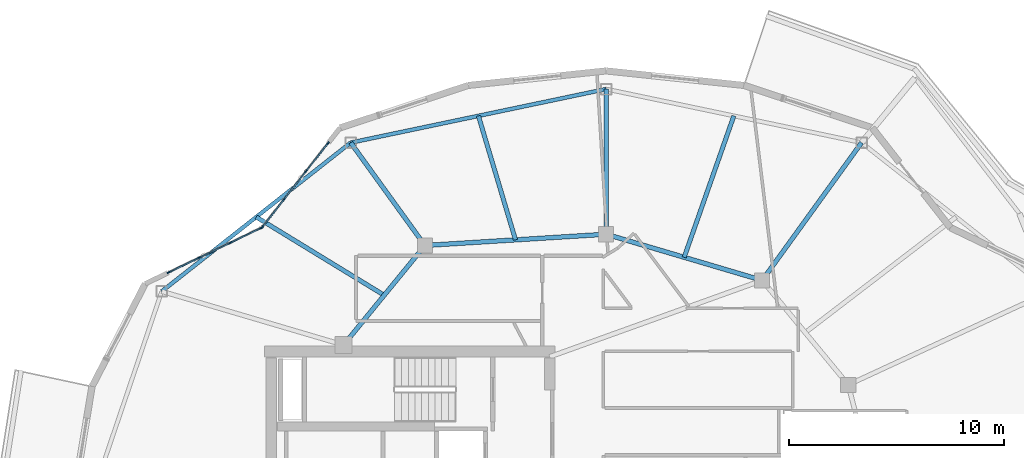
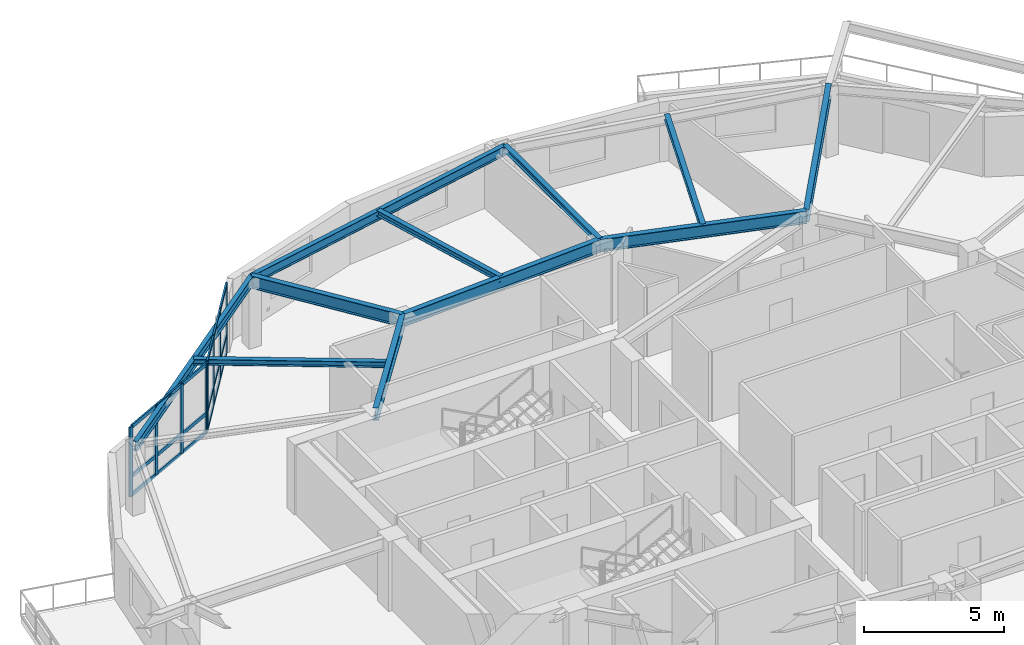
# One storey, part 5 of 19: 26 members, 11 beams, 2 elements without a shape of their own.
"""IFC4 building model written with IfcOpenShell, lengths in metres."""

from ifc_helpers import new_model, si_unit, direction, frame, origin, origin_2d, place, context, subcontext, project, spatial, rectangle, i_section, extrude, material, layer, layer_set, material_profile, profile_set, type_object, element, aggregate, save


model = new_model("IFC4")

# Units and contexts
model_context = context("Model", 3, precision=1e-05, world=origin(), true_north=direction((0.0, 1.0)))
body_context = subcontext(model_context, "Body", "Model", "MODEL_VIEW")
ifc_project = project(units=[si_unit("LENGTHUNIT", "METRE"), si_unit("AREAUNIT", "SQUARE_METRE"), si_unit("VOLUMEUNIT", "CUBIC_METRE"), si_unit("PLANEANGLEUNIT", "RADIAN"), si_unit("MASSUNIT", "GRAM", prefix="KILO")], contexts=[model_context])

# Site, building, storey
site_placement = place(None, origin())
site = spatial("IfcSite", under=ifc_project, at=site_placement, CompositionType="ELEMENT")
building_placement = place(site_placement, origin())
building = spatial("IfcBuilding", under=site, at=building_placement, Name="Kolvaren Gate Tower and Convention Centre", CompositionType="ELEMENT")
storey_placement = place(building_placement, frame((0.0, 0.0, 212.89990234375)))
storey = spatial("IfcBuildingStorey", under=building, at=storey_placement, Name="L56", CompositionType="ELEMENT", Elevation=212.89990234375)

# Curtain wall, members
ifc_material_1 = material(Name="Anodized Architectural Aluminium Alloy 6063-T6", Category="aluminium")
ifc_layer = layer(ifc_material_1, 0.159912109375)
ifc_layer_set = layer_set([ifc_layer], Name="Anodized Architectural Aluminium Alloy 6063-T6")
curtain_wall_type = type_object("IfcCurtainWallType", Name="CW-RES-UNIT", PredefinedType="NOTDEFINED", material=ifc_layer_set)
curtain_wall_1_placement = place(storey_placement, origin())
curtain_wall_1 = element("IfcCurtainWall", 1, at=curtain_wall_1_placement, inside=storey, type_object=curtain_wall_type, Name="Tower L56 Unitised Curtain Wall CW-RES-UNIT Bay 08", PredefinedType="NOTDEFINED")
ifc_material_profile_1 = material_profile(ifc_material_1, rectangle(XDim=0.06494140625, YDim=0.159912109375, at=origin_2d()), Name="CW-MEM-MUL-160")
ifc_profile_set_1 = profile_set([ifc_material_profile_1], Name="Anodized Architectural Aluminium Alloy 6063-T6")
member_type_1 = type_object("IfcMemberType", Name="CW-MEM-MUL-160", PredefinedType="MULLION", material=ifc_profile_set_1)
member_1_placement = place(storey_placement, frame((14.137451171875, 39.532958984375, 0.0), z_axis=(0.0, 0.0, 1.0), x_axis=(-0.787409932974, 0.616429718179, 0.0)))
member_1 = element("IfcMember", 2, at=member_1_placement, type_object=member_type_1, Name="CW-04 mullion 1", PredefinedType="MULLION", context=body_context, shape_type="SweptSolid", body=[
    extrude(rectangle(XDim=0.06494140625, YDim=0.159912109375, at=origin_2d()), origin(), (0.0, 0.0, 1.0), 3.030029296875),
])
member_2_placement = place(storey_placement, frame((15.1484375, 40.82421875, 0.0), z_axis=(0.0, 0.0, 1.0), x_axis=(-0.787409932974, 0.616429718179, 0.0)))
member_2 = element("IfcMember", 3, at=member_2_placement, type_object=member_type_1, Name="CW-04 mullion 2", PredefinedType="MULLION", context=body_context, shape_type="SweptSolid", body=[
    extrude(rectangle(XDim=0.06494140625, YDim=0.159912109375, at=origin_2d()), origin(), (0.0, 0.0, 1.0), 3.030029296875),
])
member_3_placement = place(storey_placement, frame((16.17919921875, 42.140869140625, 0.0), z_axis=(0.0, 0.0, 1.0), x_axis=(-0.787409932974, 0.616429718179, 0.0)))
member_3 = element("IfcMember", 4, at=member_3_placement, type_object=member_type_1, Name="CW-04 mullion 3", PredefinedType="MULLION", context=body_context, shape_type="SweptSolid", body=[
    extrude(rectangle(XDim=0.06494140625, YDim=0.159912109375, at=origin_2d()), origin(), (0.0, 0.0, 1.0), 3.030029296875),
])
member_4_placement = place(storey_placement, frame((17.190185546875, 43.43212890625, 0.0), z_axis=(0.0, 0.0, 1.0), x_axis=(-0.787409932974, 0.616429718179, 0.0)))
member_4 = element("IfcMember", 5, at=member_4_placement, type_object=member_type_1, Name="CW-04 mullion 4", PredefinedType="MULLION", context=body_context, shape_type="SweptSolid", body=[
    extrude(rectangle(XDim=0.06494140625, YDim=0.159912109375, at=origin_2d()), origin(), (0.0, 0.0, 1.0), 3.030029296875),
])

curtain_wall_2_placement = place(storey_placement, origin())
curtain_wall_2 = element("IfcCurtainWall", 6, at=curtain_wall_2_placement, inside=storey, type_object=curtain_wall_type, Name="Tower L56 Unitised Curtain Wall CW-RES-UNIT Bay 09", PredefinedType="NOTDEFINED")
member_5_placement = place(storey_placement, frame((9.78466796875, 37.425537109375, 0.0), z_axis=(0.0, 0.0, 1.0), x_axis=(-0.433065576861, 0.901362416644, 0.0)))
member_5 = element("IfcMember", 7, at=member_5_placement, type_object=member_type_1, Name="CW-04 mullion 1", PredefinedType="MULLION", context=body_context, shape_type="SweptSolid", body=[
    extrude(rectangle(XDim=0.06494140625, YDim=0.159912109375, at=origin_2d()), origin(), (0.0, 0.0, 1.0), 3.030029296875),
])
member_6_placement = place(storey_placement, frame((11.20947265625, 38.110107421875, 0.0), z_axis=(0.0, 0.0, 1.0), x_axis=(-0.433065576861, 0.901362416644, 0.0)))
member_6 = element("IfcMember", 8, at=member_6_placement, type_object=member_type_1, Name="CW-04 mullion 2", PredefinedType="MULLION", context=body_context, shape_type="SweptSolid", body=[
    extrude(rectangle(XDim=0.06494140625, YDim=0.159912109375, at=origin_2d()), origin(), (0.0, 0.0, 1.0), 3.030029296875),
])
member_7_placement = place(storey_placement, frame((12.66357421875, 38.80859375, 0.0), z_axis=(0.0, 0.0, 1.0), x_axis=(-0.433065576861, 0.901362416644, 0.0)))
member_7 = element("IfcMember", 9, at=member_7_placement, type_object=member_type_1, Name="CW-04 mullion 3", PredefinedType="MULLION", context=body_context, shape_type="SweptSolid", body=[
    extrude(rectangle(XDim=0.06494140625, YDim=0.159912109375, at=origin_2d()), origin(), (0.0, 0.0, 1.0), 3.030029296875),
])
member_8_placement = place(storey_placement, frame((14.088134765625, 39.4931640625, 0.0), z_axis=(0.0, 0.0, 1.0), x_axis=(-0.433065576861, 0.901362416644, 0.0)))
member_8 = element("IfcMember", 10, at=member_8_placement, type_object=member_type_1, Name="CW-04 mullion 4", PredefinedType="MULLION", context=body_context, shape_type="SweptSolid", body=[
    extrude(rectangle(XDim=0.06494140625, YDim=0.159912109375, at=origin_2d()), origin(), (0.0, 0.0, 1.0), 3.030029296875),
])

# Member
ifc_material_profile_2 = material_profile(ifc_material_1, rectangle(XDim=0.06494140625, YDim=0.159912109375, at=origin_2d()), Name="CW-MEM-TRN-160")
ifc_profile_set_2 = profile_set([ifc_material_profile_2], Name="Anodized Architectural Aluminium Alloy 6063-T6")
member_type_2 = type_object("IfcMemberType", Name="CW-MEM-TRN-160", PredefinedType="USERDEFINED", material=ifc_profile_set_2)
member_9_placement = place(storey_placement, frame((14.157470703125, 39.55859375, 0.03271484375), z_axis=(0.616513055725, 0.787344684443, 0.0), x_axis=(-0.787344684443, 0.616513055725, 0.0)))
member_9 = element("IfcMember", 11, at=member_9_placement, type_object=member_type_2, Name="CW-04 transom 1.1", ObjectType="TRANSOM", PredefinedType="USERDEFINED", context=body_context, shape_type="SweptSolid", body=[
    extrude(rectangle(XDim=0.06494140625, YDim=0.159912109375, at=origin_2d()), origin(), (0.0, 0.0, 1.0), 1.574951171875),
])

member_10_placement = place(storey_placement, frame((14.157470703125, 39.55859375, 0.85009765625), z_axis=(0.616513055725, 0.787344684443, 0.0), x_axis=(-0.787344684443, 0.616513055725, 0.0)))
member_10 = element("IfcMember", 12, at=member_10_placement, type_object=member_type_2, Name="CW-04 transom 1.2", ObjectType="TRANSOM", PredefinedType="USERDEFINED", context=body_context, shape_type="SweptSolid", body=[
    extrude(rectangle(XDim=0.06494140625, YDim=0.159912109375, at=origin_2d()), origin(), (0.0, 0.0, 1.0), 1.574951171875),
])

member_11_placement = place(storey_placement, frame((14.157470703125, 39.55859375, 2.99755859375), z_axis=(0.616513055725, 0.787344684443, 0.0), x_axis=(-0.787344684443, 0.616513055725, 0.0)))
member_11 = element("IfcMember", 13, at=member_11_placement, type_object=member_type_2, Name="CW-04 transom 1.3", ObjectType="TRANSOM", PredefinedType="USERDEFINED", context=body_context, shape_type="SweptSolid", body=[
    extrude(rectangle(XDim=0.06494140625, YDim=0.159912109375, at=origin_2d()), origin(), (0.0, 0.0, 1.0), 1.574951171875),
])

member_12_placement = place(storey_placement, frame((15.16845703125, 40.849609375, 0.03271484375), z_axis=(0.616398363045, 0.787434478567, 0.0), x_axis=(-0.787434478567, 0.616398363045, 0.0)))
member_12 = element("IfcMember", 14, at=member_12_placement, type_object=member_type_2, Name="CW-04 transom 2.1", ObjectType="TRANSOM", PredefinedType="USERDEFINED", context=body_context, shape_type="SweptSolid", body=[
    extrude(rectangle(XDim=0.06494140625, YDim=0.159912109375, at=origin_2d()), origin(), (0.0, 0.0, 1.0), 1.607177734375),
])

member_13_placement = place(storey_placement, frame((15.16845703125, 40.849609375, 0.85009765625), z_axis=(0.616398363045, 0.787434478567, 0.0), x_axis=(-0.787434478567, 0.616398363045, 0.0)))
member_13 = element("IfcMember", 15, at=member_13_placement, type_object=member_type_2, Name="CW-04 transom 2.2", ObjectType="TRANSOM", PredefinedType="USERDEFINED", context=body_context, shape_type="SweptSolid", body=[
    extrude(rectangle(XDim=0.06494140625, YDim=0.159912109375, at=origin_2d()), origin(), (0.0, 0.0, 1.0), 1.607177734375),
])

member_14_placement = place(storey_placement, frame((15.16845703125, 40.849609375, 2.99755859375), z_axis=(0.616398363045, 0.787434478567, 0.0), x_axis=(-0.787434478567, 0.616398363045, 0.0)))
member_14 = element("IfcMember", 16, at=member_14_placement, type_object=member_type_2, Name="CW-04 transom 2.3", ObjectType="TRANSOM", PredefinedType="USERDEFINED", context=body_context, shape_type="SweptSolid", body=[
    extrude(rectangle(XDim=0.06494140625, YDim=0.159912109375, at=origin_2d()), origin(), (0.0, 0.0, 1.0), 1.607177734375),
])

member_15_placement = place(storey_placement, frame((16.19921875, 42.16650390625, 0.03271484375), z_axis=(0.616416943475, 0.787419933579, 0.0), x_axis=(-0.787419933579, 0.616416943475, 0.0)))
member_15 = element("IfcMember", 17, at=member_15_placement, type_object=member_type_2, Name="CW-04 transom 3.1", ObjectType="TRANSOM", PredefinedType="USERDEFINED", context=body_context, shape_type="SweptSolid", body=[
    extrude(rectangle(XDim=0.06494140625, YDim=0.159912109375, at=origin_2d()), origin(), (0.0, 0.0, 1.0), 1.57470703125),
])

member_16_placement = place(storey_placement, frame((16.19921875, 42.16650390625, 0.85009765625), z_axis=(0.616416943475, 0.787419933579, 0.0), x_axis=(-0.787419933579, 0.616416943475, 0.0)))
member_16 = element("IfcMember", 18, at=member_16_placement, type_object=member_type_2, Name="CW-04 transom 3.2", ObjectType="TRANSOM", PredefinedType="USERDEFINED", context=body_context, shape_type="SweptSolid", body=[
    extrude(rectangle(XDim=0.06494140625, YDim=0.159912109375, at=origin_2d()), origin(), (0.0, 0.0, 1.0), 1.57470703125),
])

member_17_placement = place(storey_placement, frame((16.19921875, 42.16650390625, 2.99755859375), z_axis=(0.616416943475, 0.787419933579, 0.0), x_axis=(-0.787419933579, 0.616416943475, 0.0)))
member_17 = element("IfcMember", 19, at=member_17_placement, type_object=member_type_2, Name="CW-04 transom 3.3", ObjectType="TRANSOM", PredefinedType="USERDEFINED", context=body_context, shape_type="SweptSolid", body=[
    extrude(rectangle(XDim=0.06494140625, YDim=0.159912109375, at=origin_2d()), origin(), (0.0, 0.0, 1.0), 1.57470703125),
])

aggregate(curtain_wall_1, [member_1, member_2, member_3, member_4, member_9, member_10, member_11, member_12, member_13, member_14, member_15, member_16, member_17])

member_18_placement = place(storey_placement, frame((9.81396484375, 37.439697265625, 0.03271484375), z_axis=(0.901402369702, 0.432982410607, 0.0), x_axis=(-0.432982410607, 0.901402369702, 0.0)))
member_18 = element("IfcMember", 20, at=member_18_placement, type_object=member_type_2, Name="CW-04 transom 1.1", ObjectType="TRANSOM", PredefinedType="USERDEFINED", context=body_context, shape_type="SweptSolid", body=[
    extrude(rectangle(XDim=0.06494140625, YDim=0.159912109375, at=origin_2d()), origin(), (0.0, 0.0, 1.0), 1.515625),
])

member_19_placement = place(storey_placement, frame((9.81396484375, 37.439697265625, 0.85009765625), z_axis=(0.901402369702, 0.432982410607, 0.0), x_axis=(-0.432982410607, 0.901402369702, 0.0)))
member_19 = element("IfcMember", 21, at=member_19_placement, type_object=member_type_2, Name="CW-04 transom 1.2", ObjectType="TRANSOM", PredefinedType="USERDEFINED", context=body_context, shape_type="SweptSolid", body=[
    extrude(rectangle(XDim=0.06494140625, YDim=0.159912109375, at=origin_2d()), origin(), (0.0, 0.0, 1.0), 1.515625),
])

member_20_placement = place(storey_placement, frame((9.81396484375, 37.439697265625, 2.99755859375), z_axis=(0.901402369702, 0.432982410607, 0.0), x_axis=(-0.432982410607, 0.901402369702, 0.0)))
member_20 = element("IfcMember", 22, at=member_20_placement, type_object=member_type_2, Name="CW-04 transom 1.3", ObjectType="TRANSOM", PredefinedType="USERDEFINED", context=body_context, shape_type="SweptSolid", body=[
    extrude(rectangle(XDim=0.06494140625, YDim=0.159912109375, at=origin_2d()), origin(), (0.0, 0.0, 1.0), 1.515625),
])

member_21_placement = place(storey_placement, frame((11.23876953125, 38.124267578125, 0.03271484375), z_axis=(0.901380283866, 0.433028386896, 0.0), x_axis=(-0.433028386896, 0.901380283866, 0.0)))
member_21 = element("IfcMember", 23, at=member_21_placement, type_object=member_type_2, Name="CW-04 transom 2.1", ObjectType="TRANSOM", PredefinedType="USERDEFINED", context=body_context, shape_type="SweptSolid", body=[
    extrude(rectangle(XDim=0.06494140625, YDim=0.159912109375, at=origin_2d()), origin(), (0.0, 0.0, 1.0), 1.548095703125),
])

member_22_placement = place(storey_placement, frame((11.23876953125, 38.124267578125, 0.85009765625), z_axis=(0.901380283866, 0.433028386896, 0.0), x_axis=(-0.433028386896, 0.901380283866, 0.0)))
member_22 = element("IfcMember", 24, at=member_22_placement, type_object=member_type_2, Name="CW-04 transom 2.2", ObjectType="TRANSOM", PredefinedType="USERDEFINED", context=body_context, shape_type="SweptSolid", body=[
    extrude(rectangle(XDim=0.06494140625, YDim=0.159912109375, at=origin_2d()), origin(), (0.0, 0.0, 1.0), 1.548095703125),
])

member_23_placement = place(storey_placement, frame((11.23876953125, 38.124267578125, 2.99755859375), z_axis=(0.901380283866, 0.433028386896, 0.0), x_axis=(-0.433028386896, 0.901380283866, 0.0)))
member_23 = element("IfcMember", 25, at=member_23_placement, type_object=member_type_2, Name="CW-04 transom 2.3", ObjectType="TRANSOM", PredefinedType="USERDEFINED", context=body_context, shape_type="SweptSolid", body=[
    extrude(rectangle(XDim=0.06494140625, YDim=0.159912109375, at=origin_2d()), origin(), (0.0, 0.0, 1.0), 1.548095703125),
])

member_24_placement = place(storey_placement, frame((12.69287109375, 38.82275390625, 0.03271484375), z_axis=(0.901309275583, 0.433176164797, 0.0), x_axis=(-0.433176164797, 0.901309275583, 0.0)))
member_24 = element("IfcMember", 26, at=member_24_placement, type_object=member_type_2, Name="CW-04 transom 3.1", ObjectType="TRANSOM", PredefinedType="USERDEFINED", context=body_context, shape_type="SweptSolid", body=[
    extrude(rectangle(XDim=0.06494140625, YDim=0.159912109375, at=origin_2d()), origin(), (0.0, 0.0, 1.0), 1.515625),
])

member_25_placement = place(storey_placement, frame((12.69287109375, 38.82275390625, 0.85009765625), z_axis=(0.901309275583, 0.433176164797, 0.0), x_axis=(-0.433176164797, 0.901309275583, 0.0)))
member_25 = element("IfcMember", 27, at=member_25_placement, type_object=member_type_2, Name="CW-04 transom 3.2", ObjectType="TRANSOM", PredefinedType="USERDEFINED", context=body_context, shape_type="SweptSolid", body=[
    extrude(rectangle(XDim=0.06494140625, YDim=0.159912109375, at=origin_2d()), origin(), (0.0, 0.0, 1.0), 1.515625),
])

member_26_placement = place(storey_placement, frame((12.69287109375, 38.82275390625, 2.99755859375), z_axis=(0.901309275583, 0.433176164797, 0.0), x_axis=(-0.433176164797, 0.901309275583, 0.0)))
member_26 = element("IfcMember", 28, at=member_26_placement, type_object=member_type_2, Name="CW-04 transom 3.3", ObjectType="TRANSOM", PredefinedType="USERDEFINED", context=body_context, shape_type="SweptSolid", body=[
    extrude(rectangle(XDim=0.06494140625, YDim=0.159912109375, at=origin_2d()), origin(), (0.0, 0.0, 1.0), 1.515625),
])

aggregate(curtain_wall_2, [member_5, member_6, member_7, member_8, member_18, member_19, member_20, member_21, member_22, member_23, member_24, member_25, member_26])

# Beams
ifc_material_2 = material(Name="Structural steel ASTM A992 Grade 345 MPa", Category="steel")
ifc_material_profile_3 = material_profile(ifc_material_2, i_section(OverallWidth=0.2119140625, OverallDepth=0.5439453125, WebThickness=0.01318359375, FlangeThickness=0.021240234375, at=origin_2d()), Name="W530X123")
ifc_profile_set_3 = profile_set([ifc_material_profile_3], Name="Structural steel ASTM A992 Grade 345 MPa")
beam_type_1 = type_object("IfcBeamType", Name="STR-BM-W530X123", PredefinedType="BEAM", material=ifc_profile_set_3)
beam_1_placement = place(storey_placement, frame((37.381591796875, 37.054931640625, 2.758056640625), z_axis=(-0.958980837827, 0.283470902706, 0.0), x_axis=(-0.283470902706, -0.958980837827, 0.0)))
element("IfcBeam", 29, at=beam_1_placement, inside=storey, type_object=beam_type_1, Name="Tower L56 Primary Ring Girder G-03", PredefinedType="BEAM", context=body_context, shape_type="SweptSolid", body=[
    extrude(i_section(OverallWidth=0.2119140625, OverallDepth=0.5439453125, WebThickness=0.01318359375, FlangeThickness=0.021240234375, at=origin_2d()), origin(), (0.0, 0.0, 1.0), 7.56689453125),
])
beam_2_placement = place(storey_placement, frame((30.125, 39.199951171875, 2.758056640625), z_axis=(-0.998078258568, -0.06196603726, 0.0), x_axis=(0.06196603726, -0.998078258568, 0.0)))
element("IfcBeam", 30, at=beam_2_placement, inside=storey, type_object=beam_type_1, Name="Tower L56 Primary Ring Girder G-04", PredefinedType="BEAM", context=body_context, shape_type="SweptSolid", body=[
    extrude(i_section(OverallWidth=0.2119140625, OverallDepth=0.5439453125, WebThickness=0.01318359375, FlangeThickness=0.021240234375, at=origin_2d()), origin(), (0.0, 0.0, 1.0), 8.443115234375),
])
beam_3_placement = place(storey_placement, frame((21.697998046875, 38.6767578125, 2.758056640625), z_axis=(-0.633082074904, -0.774084676528, 0.0), x_axis=(0.774084676528, -0.633082074904, 0.0)))
element("IfcBeam", 31, at=beam_3_placement, inside=storey, type_object=beam_type_1, Name="Tower L56 Primary Ring Girder G-05", PredefinedType="BEAM", context=body_context, shape_type="SweptSolid", body=[
    extrude(i_section(OverallWidth=0.2119140625, OverallDepth=0.5439453125, WebThickness=0.01318359375, FlangeThickness=0.021240234375, at=origin_2d()), origin(), (0.0, 0.0, 1.0), 5.97705078125),
])
beam_4_placement = place(storey_placement, frame((37.381591796875, 37.054931640625, 2.758056640625), z_axis=(0.585211694794, 0.810880553643, 0.0), x_axis=(-0.810880553643, 0.585211694794, 0.0)))
element("IfcBeam", 32, at=beam_4_placement, inside=storey, type_object=beam_type_1, Name="Tower L56 Radial Floor Girder RB-03", PredefinedType="BEAM", context=body_context, shape_type="SweptSolid", body=[
    extrude(i_section(OverallWidth=0.2119140625, OverallDepth=0.5439453125, WebThickness=0.01318359375, FlangeThickness=0.021240234375, at=origin_2d()), origin(), (0.0, 0.0, 1.0), 7.896484375),
])
beam_5_placement = place(storey_placement, frame((21.697998046875, 38.6767578125, 2.758056640625), z_axis=(-0.585218406802, 0.810875709552, 0.0), x_axis=(-0.810875709552, -0.585218406802, 0.0)))
element("IfcBeam", 33, at=beam_5_placement, inside=storey, type_object=beam_type_1, Name="Tower L56 Radial Floor Girder RB-05", PredefinedType="BEAM", context=body_context, shape_type="SweptSolid", body=[
    extrude(i_section(OverallWidth=0.2119140625, OverallDepth=0.5439453125, WebThickness=0.01318359375, FlangeThickness=0.021240234375, at=origin_2d()), origin(), (0.0, 0.0, 1.0), 5.896484375),
])
ifc_material_profile_4 = material_profile(ifc_material_2, i_section(OverallWidth=0.202880859375, OverallDepth=0.251953125, WebThickness=0.008056640625, FlangeThickness=0.013427734375, at=origin_2d()), Name="W250X58")
ifc_profile_set_4 = profile_set([ifc_material_profile_4], Name="Structural steel ASTM A992 Grade 345 MPa")
beam_type_2 = type_object("IfcBeamType", Name="STR-JS-W250X58", PredefinedType="JOIST", material=ifc_profile_set_4)
beam_6_placement = place(storey_placement, frame((30.125, 39.199951171875, 2.904052734375), z_axis=(0.0, 1.0, 0.0), x_axis=(-1.0, 0.0, 0.0)))
element("IfcBeam", 34, at=beam_6_placement, inside=storey, type_object=beam_type_2, Name="Tower L56 Radial Floor Girder RB-04", PredefinedType="JOIST", context=body_context, shape_type="SweptSolid", body=[
    extrude(i_section(OverallWidth=0.202880859375, OverallDepth=0.251953125, WebThickness=0.008056640625, FlangeThickness=0.013427734375, at=origin_2d()), origin(), (0.0, 0.0, 1.0), 6.75),
])
beam_7_placement = place(storey_placement, frame((33.75341796875, 38.12744140625, 2.904052734375), z_axis=(0.331432911821, 0.943478788824, 0.0), x_axis=(-0.943478788824, 0.331432911821, 0.0)))
element("IfcBeam", 35, at=beam_7_placement, inside=storey, type_object=beam_type_2, Name="Tower L56 Secondary Composite Floor Joist J-03.1", PredefinedType="JOIST", context=body_context, shape_type="SweptSolid", body=[
    extrude(i_section(OverallWidth=0.202880859375, OverallDepth=0.251953125, WebThickness=0.008056640625, FlangeThickness=0.013427734375, at=origin_2d()), origin(), (0.0, 0.0, 1.0), 6.970703125),
])
beam_8_placement = place(storey_placement, frame((25.91162109375, 38.938232421875, 2.904052734375), z_axis=(-0.286674209033, 0.958028130002, 0.0), x_axis=(-0.958028130002, -0.286674209033, 0.0)))
element("IfcBeam", 36, at=beam_8_placement, inside=storey, type_object=beam_type_2, Name="Tower L56 Secondary Composite Floor Joist J-04.1", PredefinedType="JOIST", context=body_context, shape_type="SweptSolid", body=[
    extrude(i_section(OverallWidth=0.202880859375, OverallDepth=0.251953125, WebThickness=0.008056640625, FlangeThickness=0.013427734375, at=origin_2d()), origin(), (0.0, 0.0, 1.0), 6.0185546875),
])
beam_9_placement = place(storey_placement, frame((19.805908203125, 36.36328125, 2.904052734375), z_axis=(-0.853232509014, 0.52153071392, 0.0), x_axis=(-0.52153071392, -0.853232509014, 0.0)))
element("IfcBeam", 37, at=beam_9_placement, inside=storey, type_object=beam_type_2, Name="Tower L56 Secondary Composite Floor Joist J-05.1", PredefinedType="JOIST", context=body_context, shape_type="SweptSolid", body=[
    extrude(i_section(OverallWidth=0.202880859375, OverallDepth=0.251953125, WebThickness=0.008056640625, FlangeThickness=0.013427734375, at=origin_2d()), origin(), (0.0, 0.0, 1.0), 6.974609375),
])
ifc_material_profile_5 = material_profile(ifc_material_2, i_section(OverallWidth=0.180908203125, OverallDepth=0.4169921875, WebThickness=0.010986328125, FlangeThickness=0.018310546875, at=origin_2d()), Name="W410X85")
ifc_profile_set_5 = profile_set([ifc_material_profile_5], Name="Structural steel ASTM A992 Grade 345 MPa")
beam_type_3 = type_object("IfcBeamType", Name="STR-SP-W410X85", PredefinedType="SPANDREL", material=ifc_profile_set_5)
beam_10_placement = place(storey_placement, frame((30.125, 45.949951171875, 2.821533203125), z_axis=(-0.978692765917, -0.205330148645, 0.0), x_axis=(0.205330148645, -0.978692765917, 0.0)))
element("IfcBeam", 38, at=beam_10_placement, inside=storey, type_object=beam_type_3, Name="Tower L56 Perimeter Spandrel Beam SP-04", PredefinedType="SPANDREL", context=body_context, shape_type="SweptSolid", body=[
    extrude(i_section(OverallWidth=0.180908203125, OverallDepth=0.4169921875, WebThickness=0.010986328125, FlangeThickness=0.018310546875, at=origin_2d()), origin(), (0.0, 0.0, 1.0), 12.13623046875),
])
beam_11_placement = place(storey_placement, frame((18.247314453125, 43.4580078125, 2.821533203125), z_axis=(-0.78579365551, -0.618488747643, 0.0), x_axis=(0.618488747643, -0.78579365551, 0.0)))
element("IfcBeam", 39, at=beam_11_placement, inside=storey, type_object=beam_type_3, Name="Tower L56 Perimeter Spandrel Beam SP-05", PredefinedType="SPANDREL", context=body_context, shape_type="SweptSolid", body=[
    extrude(i_section(OverallWidth=0.180908203125, OverallDepth=0.4169921875, WebThickness=0.010986328125, FlangeThickness=0.018310546875, at=origin_2d()), origin(), (0.0, 0.0, 1.0), 11.179443359375),
])

save(model, "model.ifc")
